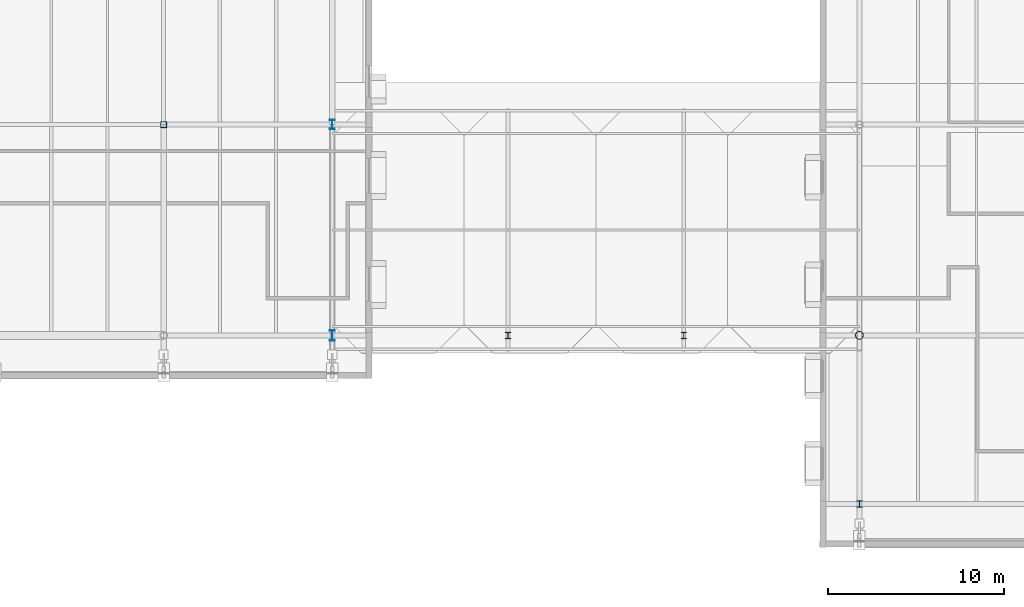
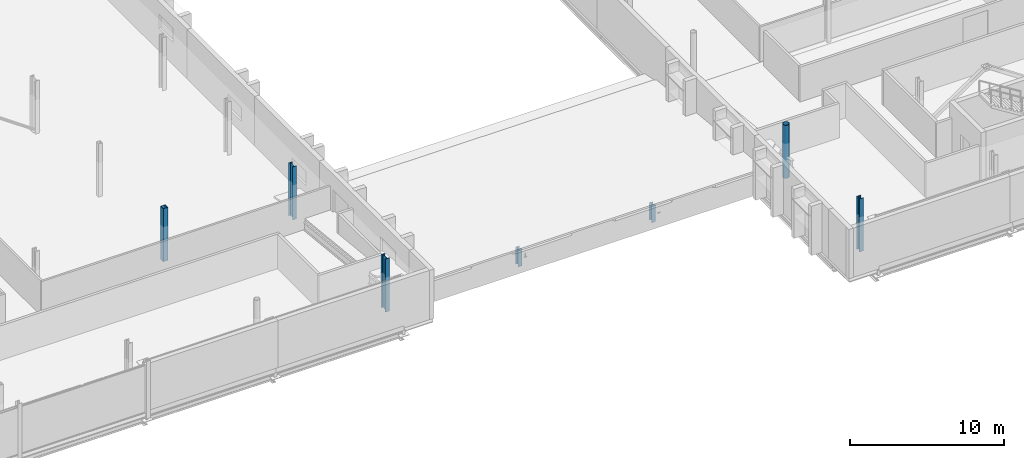
# One storey, part 9 of 90: 7 columns.
"""IFC4 building model written with IfcOpenShell, lengths in metres."""

from ifc_helpers import new_model, si_unit, direction, frame, origin, origin_2d, place, context, subcontext, project, spatial, hollow_rectangle, hollow_circle, i_section, extrude, material, material_profile, profile_set, type_object, element, save


model = new_model("IFC4")

# Units and contexts
model_context = context("Model", 3, precision=1e-05, world=origin(), true_north=direction((0.0, 1.0)))
body_context = subcontext(model_context, "Body", "Model", "MODEL_VIEW")
ifc_project = project(units=[si_unit("LENGTHUNIT", "METRE"), si_unit("AREAUNIT", "SQUARE_METRE"), si_unit("VOLUMEUNIT", "CUBIC_METRE"), si_unit("PLANEANGLEUNIT", "RADIAN"), si_unit("MASSUNIT", "GRAM", prefix="KILO")], contexts=[model_context])

# Site, building, storey
site_placement = place(None, origin())
site = spatial("IfcSite", under=ifc_project, at=site_placement, CompositionType="ELEMENT")
building_placement = place(site_placement, origin())
building = spatial("IfcBuilding", under=site, at=building_placement, Name="Zereglee Splitstone Museum", CompositionType="ELEMENT")
storey_placement = place(building_placement, frame((0.0, 0.0, 4.800048828125)))
storey = spatial("IfcBuildingStorey", under=building, at=storey_placement, Name="L01", CompositionType="ELEMENT", Elevation=4.800048828125)

# Columns
ifc_material_1 = material(Name="Steel S355J2H", Category="steel")
ifc_material_profile_1 = material_profile(ifc_material_1, hollow_circle(Radius=0.228515625, WallThickness=0.02001953125, at=origin_2d()), Name="CHS 457.0x20")
ifc_profile_set_1 = profile_set([ifc_material_profile_1], Name="Steel S355J2H")
column_type_1 = type_object("IfcColumnType", Name="C-17", PredefinedType="COLUMN", material=ifc_profile_set_1)
column_1_placement = place(storey_placement, frame((175.199951171875, 9.60009765625, 0.0), z_axis=(0.0, 0.0, 1.0), x_axis=(1.0, 0.0, 0.0)))
element("IfcColumn", 1, at=column_1_placement, inside=storey, type_object=column_type_1, Name="Column 20/B L01", PredefinedType="COLUMN", context=body_context, shape_type="SweptSolid", body=[
    extrude(hollow_circle(Radius=0.228515625, WallThickness=0.02001953125, at=origin_2d()), origin(), (0.0, 0.0, 1.0), 4.199951171875),
])
ifc_material_2 = material(Name="Steel S355J2", Category="steel")
ifc_material_profile_2 = material_profile(ifc_material_2, i_section(OverallWidth=0.300048828125, OverallDepth=0.360107421875, WebThickness=0.012451171875, FlangeThickness=0.0224609375, FilletRadius=0.027099609375, at=origin_2d()), Name="HE 360 B")
ifc_profile_set_2 = profile_set([ifc_material_profile_2], Name="Steel S355J2")
column_type_2 = type_object("IfcColumnType", Name="C-16", PredefinedType="COLUMN", material=ifc_profile_set_2)
column_2_placement = place(storey_placement, frame((175.199951171875, 0.0, 0.0), z_axis=(0.0, 0.0, 1.0), x_axis=(1.0, 0.0, 0.0)))
element("IfcColumn", 2, at=column_2_placement, inside=storey, type_object=column_type_2, Name="Column 20/A L01", PredefinedType="COLUMN", context=body_context, shape_type="SweptSolid", body=[
    extrude(i_section(OverallWidth=0.300048828125, OverallDepth=0.360107421875, WebThickness=0.012451171875, FlangeThickness=0.0224609375, FilletRadius=0.027099609375, at=origin_2d()), origin(), (0.0, 0.0, 1.0), 4.199951171875),
])
for number, where, z_axis, x_axis, name in (
    (3, (155.199951171875, 9.60009765625, 0.0), (0.0, 0.0, 1.0), (1.0, 0.0, 0.0), "Roof Support Column RF-L2 (155.2,9.6)"),
    (4, (165.199951171875, 9.60009765625, 0.0), (0.0, 0.0, 1.0), (1.0, 0.0, 0.0), "Roof Support Column RF-L2 (165.2,9.6)"),
):
    element("IfcColumn", number, at=place(storey_placement, frame(where, z_axis=z_axis, x_axis=x_axis)), inside=storey, type_object=column_type_2, Name=name, PredefinedType="COLUMN", context=body_context, shape_type="SweptSolid", body=[
        extrude(i_section(OverallWidth=0.300048828125, OverallDepth=0.360107421875, WebThickness=0.012451171875, FlangeThickness=0.0224609375, FilletRadius=0.027099609375, at=origin_2d()), origin(), (0.0, 0.0, 1.0), 1.373046875),
    ])
ifc_material_profile_3 = material_profile(ifc_material_2, i_section(OverallWidth=0.300048828125, OverallDepth=0.550048828125, WebThickness=0.014892578125, FlangeThickness=0.029052734375, FilletRadius=0.027099609375, at=origin_2d()), Name="HE 550 B")
ifc_profile_set_3 = profile_set([ifc_material_profile_3], Name="Steel S355J2")
column_type_3 = type_object("IfcColumnType", Name="C-12", PredefinedType="COLUMN", material=ifc_profile_set_3)
column_3_placement = place(storey_placement, frame((145.199951171875, 21.60009765625, 0.0), z_axis=(0.0, 0.0, 1.0), x_axis=(1.0, 0.0, 0.0)))
element("IfcColumn", 5, at=column_3_placement, inside=storey, type_object=column_type_3, Name="Column 17/C L01", PredefinedType="COLUMN", context=body_context, shape_type="SweptSolid", body=[
    extrude(i_section(OverallWidth=0.300048828125, OverallDepth=0.550048828125, WebThickness=0.014892578125, FlangeThickness=0.029052734375, FilletRadius=0.027099609375, at=origin_2d()), origin(), (0.0, 0.0, 1.0), 4.199951171875),
])
ifc_material_profile_4 = material_profile(ifc_material_2, i_section(OverallWidth=0.300048828125, OverallDepth=0.60009765625, WebThickness=0.015380859375, FlangeThickness=0.030029296875, FilletRadius=0.027099609375, at=origin_2d()), Name="HE 600 B")
ifc_profile_set_4 = profile_set([ifc_material_profile_4], Name="Steel S355J2")
column_type_4 = type_object("IfcColumnType", Name="C-11", PredefinedType="COLUMN", material=ifc_profile_set_4)
column_4_placement = place(storey_placement, frame((145.199951171875, 9.60009765625, 0.0), z_axis=(0.0, 0.0, 1.0), x_axis=(1.0, 0.0, 0.0)))
element("IfcColumn", 6, at=column_4_placement, inside=storey, type_object=column_type_4, Name="Column 17/B L01", PredefinedType="COLUMN", context=body_context, shape_type="SweptSolid", body=[
    extrude(i_section(OverallWidth=0.300048828125, OverallDepth=0.60009765625, WebThickness=0.015380859375, FlangeThickness=0.030029296875, FilletRadius=0.027099609375, at=origin_2d()), origin(), (0.0, 0.0, 1.0), 4.199951171875),
])
ifc_material_profile_5 = material_profile(ifc_material_1, hollow_rectangle(XDim=0.35009765625, YDim=0.35009765625, WallThickness=0.01611328125, at=origin_2d()), Name="SHS 350x350x16")
ifc_profile_set_5 = profile_set([ifc_material_profile_5], Name="Steel S355J2H")
column_type_5 = type_object("IfcColumnType", Name="C-19", PredefinedType="COLUMN", material=ifc_profile_set_5)
column_5_placement = place(storey_placement, frame((135.60009765625, 21.60009765625, 0.0), z_axis=(0.0, 0.0, 1.0), x_axis=(1.0, 0.0, 0.0)))
element("IfcColumn", 7, at=column_5_placement, inside=storey, type_object=column_type_5, Name="Column 16/C L01", PredefinedType="COLUMN", context=body_context, shape_type="SweptSolid", body=[
    extrude(hollow_rectangle(XDim=0.35009765625, YDim=0.35009765625, WallThickness=0.01611328125, at=origin_2d()), origin(), (0.0, 0.0, 1.0), 4.199951171875),
])

save(model, "model.ifc")
